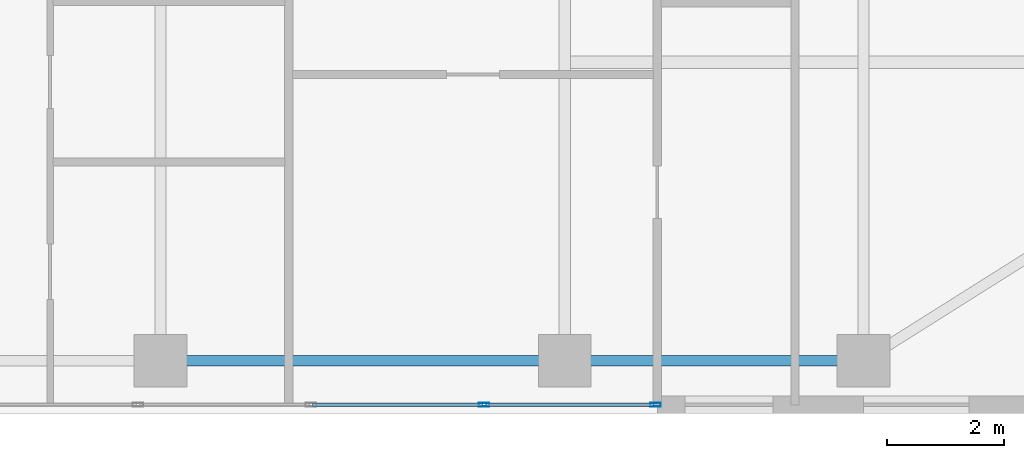
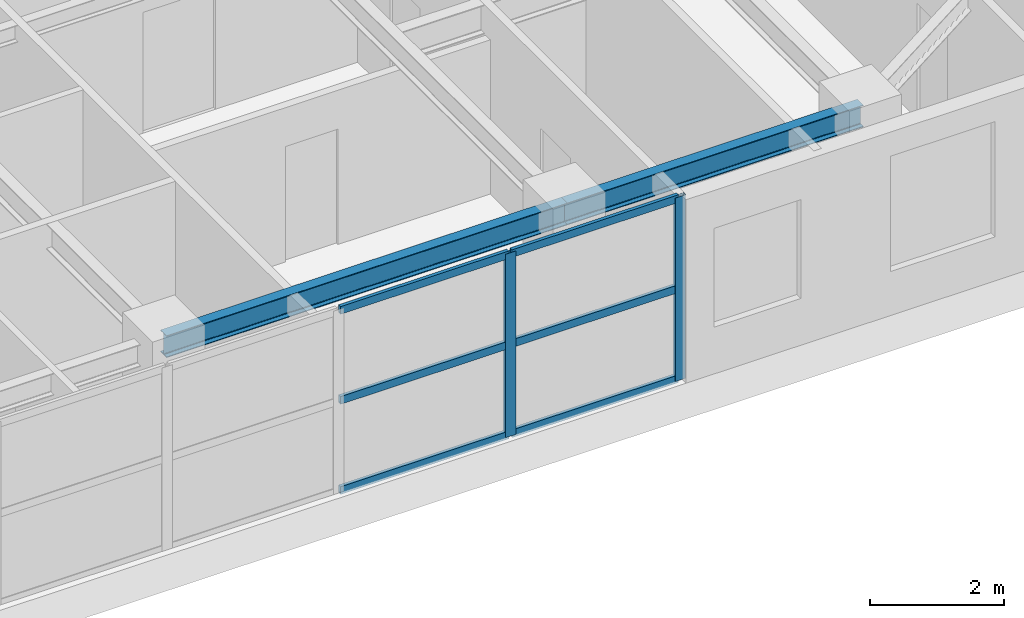
# One storey, part 6 of 24: 8 members, 2 beams, 1 element without a shape of its own.
"""IFC4 building model written with IfcOpenShell, lengths in metres."""

from ifc_helpers import new_model, si_unit, direction, frame, origin, origin_2d, place, context, subcontext, project, spatial, hollow_rectangle, i_section, extrude, source, transform, mapped, material, layer, layer_set, material_profile, profile_set, type_object, element, aggregate, save


model = new_model("IFC4")

# Units and contexts
model_context = context("Model", 3, precision=1e-05, world=origin(), true_north=direction((0.0, 1.0)))
body_context = subcontext(model_context, "Body", "Model", "MODEL_VIEW")
ifc_project = project(units=[si_unit("LENGTHUNIT", "METRE"), si_unit("AREAUNIT", "SQUARE_METRE"), si_unit("VOLUMEUNIT", "CUBIC_METRE"), si_unit("PLANEANGLEUNIT", "RADIAN"), si_unit("MASSUNIT", "GRAM", prefix="KILO")], contexts=[model_context])

# Site, building, storey
site_placement = place(None, origin())
site = spatial("IfcSite", under=ifc_project, at=site_placement, CompositionType="ELEMENT")
building_placement = place(site_placement, origin())
building = spatial("IfcBuilding", under=site, at=building_placement, Name="Khoralis Quay Care Tower", CompositionType="ELEMENT")
storey_placement = place(building_placement, frame((0.0, 0.0, 155.699951171875)))
storey = spatial("IfcBuildingStorey", under=building, at=storey_placement, Name="L40", CompositionType="ELEMENT", Elevation=155.699951171875)

# Beams
ifc_material_1 = material(Name="Steel S355", Category="steel")
ifc_material_profile_1 = material_profile(ifc_material_1, i_section(OverallWidth=0.179931640625, OverallDepth=0.39990234375, WebThickness=0.008544921875, FlangeThickness=0.013427734375, FilletRadius=0.02099609375, at=origin_2d()), Name="Steel S355")
ifc_profile_set_1 = profile_set([ifc_material_profile_1], Name="Steel S355")
beam_type = type_object("IfcBeamType", Name="BM-IPE400", PredefinedType="SPANDREL", material=ifc_profile_set_1)
shared_shape_1 = source(origin(), body_context, "Body", "SweptSolid", [
    extrude(i_section(OverallWidth=0.179931640625, OverallDepth=0.39990234375, WebThickness=0.008544921875, FlangeThickness=0.013427734375, FilletRadius=0.02099609375, at=origin_2d()), origin(), (0.0, 0.0, 1.0), 5.10009765625),
])
beam_1_placement = place(storey_placement, frame((30.89990234375, 0.89990234375, 3.14013671875), z_axis=(1.0, 0.0, 0.0), x_axis=(0.0, 1.0, 0.0)))
element("IfcBeam", 1, at=beam_1_placement, inside=storey, type_object=beam_type, Name="BM-TSP-L40-04", PredefinedType="SPANDREL", context=body_context, shape_type="MappedRepresentation", body=[
    mapped(shared_shape_1, transform((0.0, 0.0, 0.0), scale=1.0)),
])
shared_shape_2 = source(origin(), body_context, "Body", "SweptSolid", [
    extrude(i_section(OverallWidth=0.179931640625, OverallDepth=0.39990234375, WebThickness=0.008544921875, FlangeThickness=0.013427734375, FilletRadius=0.02099609375, at=origin_2d()), origin(), (0.0, 0.0, 1.0), 6.89990234375),
])
beam_2_placement = place(storey_placement, frame((24.0, 0.89990234375, 3.14013671875), z_axis=(1.0, 0.0, 0.0), x_axis=(0.0, 1.0, 0.0)))
element("IfcBeam", 2, at=beam_2_placement, inside=storey, type_object=beam_type, Name="BM-TSP-L40-03", PredefinedType="SPANDREL", context=body_context, shape_type="MappedRepresentation", body=[
    mapped(shared_shape_2, transform((0.0, 0.0, 0.0), scale=1.0)),
])

# Curtain wall, members
ifc_material_2 = material(Name="Pale anodised aluminium", Category="aluminium")
ifc_layer = layer(ifc_material_2, 0.159912109375)
ifc_layer_set = layer_set([ifc_layer], Name="Pale anodised aluminium")
curtain_wall_type = type_object("IfcCurtainWallType", Name="CW-SYS-Z3", PredefinedType="NOTDEFINED", material=ifc_layer_set)
curtain_wall_placement = place(storey_placement, origin())
curtain_wall = element("IfcCurtainWall", 3, at=curtain_wall_placement, inside=storey, type_object=curtain_wall_type, Name="L40 Unitised Curtain Wall CW-L40-P1-E0", PredefinedType="NOTDEFINED")
ifc_material_profile_2 = material_profile(ifc_material_2, hollow_rectangle(XDim=0.06494140625, YDim=0.179931640625, WallThickness=0.00390625, at=origin_2d()), Name="Pale anodised aluminium")
ifc_profile_set_2 = profile_set([ifc_material_profile_2], Name="Pale anodised aluminium")
member_type_1 = type_object("IfcMemberType", Name="CW-MUL-180", PredefinedType="MULLION", material=ifc_profile_set_2)
shared_shape_3 = source(origin(), body_context, "Body", "SweptSolid", [
    extrude(hollow_rectangle(XDim=0.06494140625, YDim=0.179931640625, WallThickness=0.00390625, at=origin_2d()), origin(), (0.0, 0.0, 1.0), 3.340087890625),
])
member_1_placement = place(storey_placement, frame((29.52392578125, 0.14990234375, 0.0), z_axis=(0.0, 0.0, 1.0), x_axis=(0.0, 1.0, 0.0)))
member_1 = element("IfcMember", 4, at=member_1_placement, type_object=member_type_1, Name="CW3 mullion 5", PredefinedType="MULLION", context=body_context, shape_type="MappedRepresentation", body=[
    mapped(shared_shape_3, transform((0.0, 0.0, 0.0), scale=1.0)),
])
member_2_placement = place(storey_placement, frame((32.449951171875, 0.14990234375, 0.0), z_axis=(0.0, 0.0, 1.0), x_axis=(0.0, 1.0, 0.0)))
member_2 = element("IfcMember", 5, at=member_2_placement, type_object=member_type_1, Name="CW3 mullion 6", PredefinedType="MULLION", context=body_context, shape_type="MappedRepresentation", body=[
    mapped(shared_shape_3, transform((0.0, 0.0, 0.0), scale=1.0)),
])
ifc_material_profile_3 = material_profile(ifc_material_2, hollow_rectangle(XDim=0.06005859375, YDim=0.139892578125, WallThickness=0.00390625, at=origin_2d()), Name="Pale anodised aluminium")
ifc_profile_set_3 = profile_set([ifc_material_profile_3], Name="Pale anodised aluminium")
member_type_2 = type_object("IfcMemberType", Name="CW-TRN-140", PredefinedType="USERDEFINED", material=ifc_profile_set_3)
shared_shape_4 = source(origin(), body_context, "Body", "SweptSolid", [
    extrude(hollow_rectangle(XDim=0.06005859375, YDim=0.139892578125, WallThickness=0.00390625, at=origin_2d()), origin(), (0.0, 0.0, 1.0), 2.865966796875),
])
member_3_placement = place(storey_placement, frame((29.553955078125, 0.14990234375, 0.030029296875), z_axis=(1.0, 0.0, 0.0), x_axis=(0.0, 1.0, 0.0)))
member_3 = element("IfcMember", 6, at=member_3_placement, type_object=member_type_2, Name="CW3 transom 5.1", ObjectType="TRANSOM", PredefinedType="USERDEFINED", context=body_context, shape_type="MappedRepresentation", body=[
    mapped(shared_shape_4, transform((0.0, 0.0, 0.0), scale=1.0)),
])
member_4_placement = place(storey_placement, frame((29.553955078125, 0.14990234375, 1.670166015625), z_axis=(1.0, 0.0, 0.0), x_axis=(0.0, 1.0, 0.0)))
member_4 = element("IfcMember", 7, at=member_4_placement, type_object=member_type_2, Name="CW3 transom 5.2", ObjectType="TRANSOM", PredefinedType="USERDEFINED", context=body_context, shape_type="MappedRepresentation", body=[
    mapped(shared_shape_4, transform((0.0, 0.0, 0.0), scale=1.0)),
])
member_5_placement = place(storey_placement, frame((29.553955078125, 0.14990234375, 3.31005859375), z_axis=(1.0, 0.0, 0.0), x_axis=(0.0, 1.0, 0.0)))
member_5 = element("IfcMember", 8, at=member_5_placement, type_object=member_type_2, Name="CW3 transom 5.3", ObjectType="TRANSOM", PredefinedType="USERDEFINED", context=body_context, shape_type="MappedRepresentation", body=[
    mapped(shared_shape_4, transform((0.0, 0.0, 0.0), scale=1.0)),
])
shared_shape_5 = source(origin(), body_context, "Body", "SweptSolid", [
    extrude(hollow_rectangle(XDim=0.06005859375, YDim=0.139892578125, WallThickness=0.00390625, at=origin_2d()), origin(), (0.0, 0.0, 1.0), 2.89599609375),
])
member_6_placement = place(storey_placement, frame((26.597900390625, 0.14990234375, 0.030029296875), z_axis=(1.0, 0.0, 0.0), x_axis=(0.0, 1.0, 0.0)))
member_6 = element("IfcMember", 9, at=member_6_placement, type_object=member_type_2, Name="CW3 transom 4.1", ObjectType="TRANSOM", PredefinedType="USERDEFINED", context=body_context, shape_type="MappedRepresentation", body=[
    mapped(shared_shape_5, transform((0.0, 0.0, 0.0), scale=1.0)),
])
member_7_placement = place(storey_placement, frame((26.597900390625, 0.14990234375, 1.670166015625), z_axis=(1.0, 0.0, 0.0), x_axis=(0.0, 1.0, 0.0)))
member_7 = element("IfcMember", 10, at=member_7_placement, type_object=member_type_2, Name="CW3 transom 4.2", ObjectType="TRANSOM", PredefinedType="USERDEFINED", context=body_context, shape_type="MappedRepresentation", body=[
    mapped(shared_shape_5, transform((0.0, 0.0, 0.0), scale=1.0)),
])
member_8_placement = place(storey_placement, frame((26.597900390625, 0.14990234375, 3.31005859375), z_axis=(1.0, 0.0, 0.0), x_axis=(0.0, 1.0, 0.0)))
member_8 = element("IfcMember", 11, at=member_8_placement, type_object=member_type_2, Name="CW3 transom 4.3", ObjectType="TRANSOM", PredefinedType="USERDEFINED", context=body_context, shape_type="MappedRepresentation", body=[
    mapped(shared_shape_5, transform((0.0, 0.0, 0.0), scale=1.0)),
])
aggregate(curtain_wall, [member_1, member_2, member_6, member_7, member_8, member_3, member_4, member_5])

save(model, "model.ifc")
